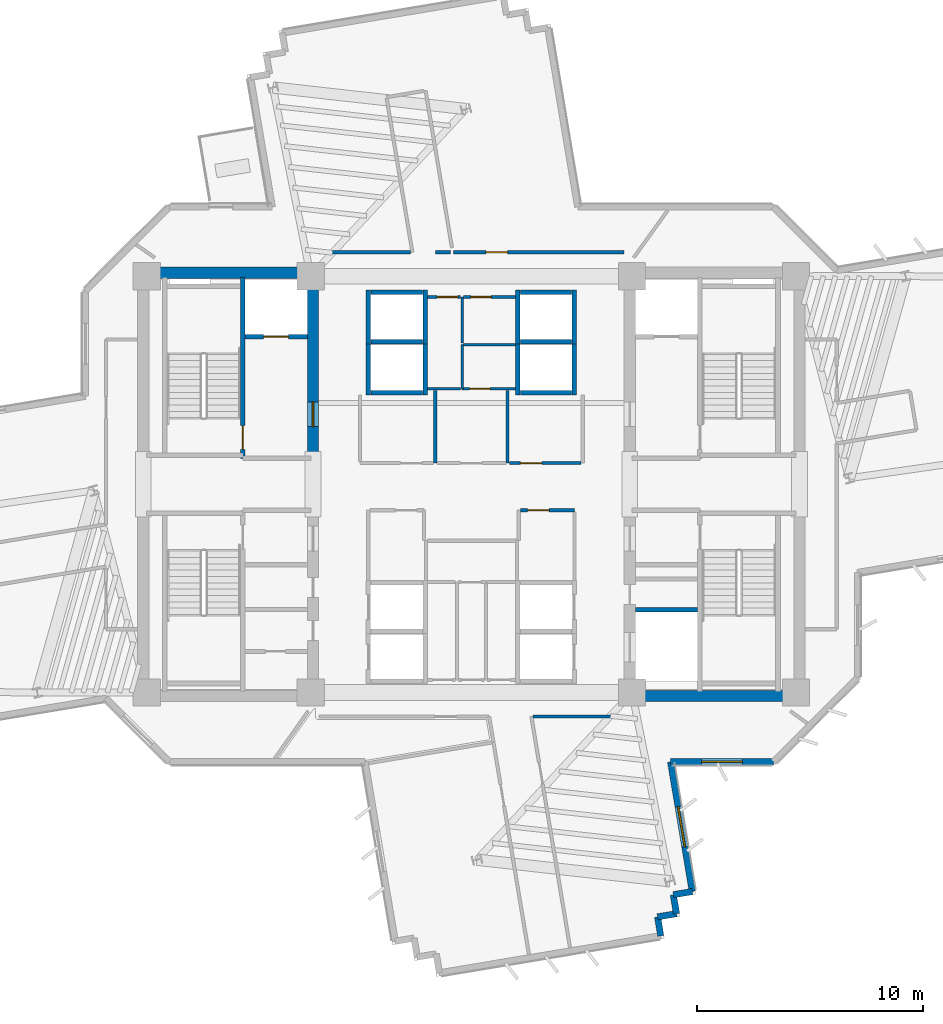
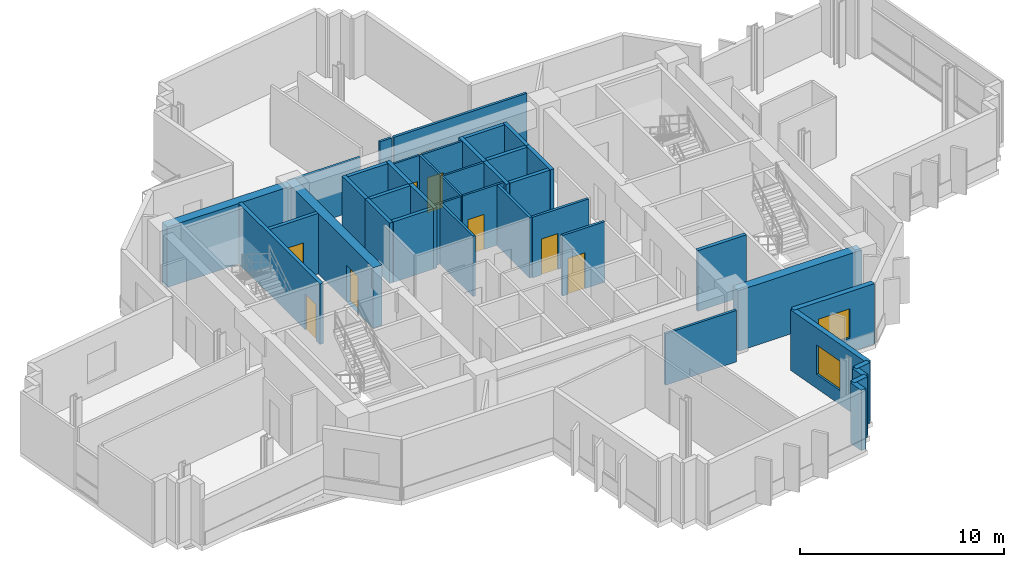
# One storey, part 9 of 15: 41 walls, 9 doors, 2 windows, 11 openings.
"""IFC4 building model written with IfcOpenShell, lengths in metres."""

from ifc_helpers import new_model, si_unit, direction, frame, frame_2d, origin, place, context, subcontext, project, spatial, rectangle, extrude, source, transform, mapped, material, layer, layer_set, type_object, element, fill, save


model = new_model("IFC4")

# Units and contexts
model_context = context("Model", 3, precision=1e-05, world=origin(), true_north=direction((0.0, 1.0)))
body_context = subcontext(model_context, "Body", "Model", "MODEL_VIEW")
ifc_project = project(units=[si_unit("LENGTHUNIT", "METRE"), si_unit("AREAUNIT", "SQUARE_METRE"), si_unit("VOLUMEUNIT", "CUBIC_METRE"), si_unit("PLANEANGLEUNIT", "RADIAN"), si_unit("MASSUNIT", "GRAM", prefix="KILO")], contexts=[model_context])

# Site, building, storey
site_placement = place(None, origin())
site = spatial("IfcSite", under=ifc_project, at=site_placement, CompositionType="ELEMENT")
building_placement = place(site_placement, origin())
building = spatial("IfcBuilding", under=site, at=building_placement, Name="Zahravan Cultural Tower", CompositionType="ELEMENT")
storey_placement = place(building_placement, frame((0.0, 0.0, 139.5)))
storey = spatial("IfcBuildingStorey", under=building, at=storey_placement, Name="L31", CompositionType="ELEMENT", Elevation=139.5)

# Wall, opening, door
ifc_material_1 = material(Name="Concrete C60/75", Category="concrete")
ifc_layer_1 = layer(ifc_material_1, 0.5)
ifc_layer_set_1 = layer_set([ifc_layer_1], Name="Concrete C60/75")
wall_type_1 = type_object("IfcWallType", Name="CW-SHEAR-500-C60", PredefinedType="SHEAR", material=ifc_layer_set_1)
wall_1_placement = place(storey_placement, frame((29.0, 28.050048828125, 0.0), z_axis=(0.0, 0.0, 1.0), x_axis=(0.0, 1.0, 0.0)))
wall_1 = element("IfcWall", 1, at=wall_1_placement, inside=storey, type_object=wall_type_1, Name="L31 Core Shear Wall CW-W-EN-L31", PredefinedType="SHEAR", context=body_context, shape_type="SweptSolid", body=[
    extrude(rectangle(XDim=8.550048828125, YDim=0.5, at=frame_2d((4.27490234375, 0.0))), origin(), (0.0, 0.0, 1.0), 3.6201171875),
])
opening_1_placement = place(wall_1_placement, frame((1.5, 0.0, 0.0)))
opening_1 = element("IfcOpeningElement", 2, at=opening_1_placement, cuts=wall_1, Name="Opening D-L31-05", PredefinedType="OPENING", context=body_context, shape_type="SweptSolid", body=[
    extrude(rectangle(XDim=1.10009765625, YDim=2.199951171875, at=frame_2d((0.550048828125, 1.10009765625))), frame((0.0, 0.260009765625, 0.0), z_axis=(0.0, -1.0, 0.0), x_axis=(1.0, 0.0, 0.0)), (0.0, 0.0, 1.0), 0.52001953125),
])
ifc_material_2 = material(Name="Steel ASTM A572 Grade 50", Category="steel")
door_type_1 = type_object("IfcDoorType", Name="DR-LOBBY-1100", OperationType="NOTDEFINED", PredefinedType="DOOR", material=ifc_material_2)
shared_shape_1 = source(origin(), body_context, "Body", "SweptSolid", [
    extrude(rectangle(XDim=1.10009765625, YDim=2.199951171875, at=frame_2d((0.550048828125, 1.10009765625))), frame((0.0, 0.02490234375, 0.0), z_axis=(0.0, -1.0, 0.0), x_axis=(1.0, 0.0, 0.0)), (0.0, 0.0, 1.0), 0.050048828125),
])
door_1_placement = place(opening_1_placement, origin())
door_1 = element("IfcDoor", 3, at=door_1_placement, inside=storey, type_object=door_type_1, Name="L31 Door D-L31-05", OperationType="SINGLE_SWING_LEFT", OverallHeight=2.199951171875, OverallWidth=1.10009765625, PredefinedType="DOOR", context=body_context, shape_type="MappedRepresentation", body=[
    mapped(shared_shape_1, transform((0.0, 0.0, 0.0), x_axis=(1.0, 0.0, 0.0), y_axis=(0.0, 1.0, 0.0), z_axis=(0.0, 0.0, 1.0), scale=1.0)),
])
fill(opening_1, door_1)

# Wall, opening, window
ifc_material_3 = material(Name="Precast concrete C40/50", Category="concrete")
ifc_layer_2 = layer(ifc_material_3, 0.280029296875)
ifc_layer_set_2 = layer_set([ifc_layer_2], Name="Precast concrete C40/50")
wall_type_2 = type_object("IfcWallType", Name="EW-TC-280", PredefinedType="SOLIDWALL", material=ifc_layer_set_2)
wall_2_placement = place(storey_placement, frame((49.342041015625, 14.739990234375, 0.0), z_axis=(0.0, 0.0, 1.0), x_axis=(-1.0, 0.0, 0.0)))
wall_2 = element("IfcWall", 4, at=wall_2_placement, inside=storey, type_object=wall_type_2, Name="L31 Exterior Masonry Frame Wall 13", PredefinedType="SOLIDWALL", context=body_context, shape_type="SweptSolid", body=[
    extrude(rectangle(XDim=4.537841796875, YDim=0.280029296875, at=frame_2d((2.26904296875, 0.0))), origin(), (0.0, 0.0, 1.0), 3.6201171875),
])
opening_2_placement = place(wall_2_placement, frame((1.368896484375, 0.0, 0.85009765625)))
opening_2 = element("IfcOpeningElement", 5, at=opening_2_placement, cuts=wall_2, Name="Opening WN-02", PredefinedType="OPENING", context=body_context, shape_type="SweptSolid", body=[
    extrude(rectangle(XDim=1.800048828125, YDim=1.75, at=frame_2d((0.89990234375, 0.875))), frame((0.0, 0.14990234375, 0.0), z_axis=(0.0, -1.0, 0.0), x_axis=(1.0, 0.0, 0.0)), (0.0, 0.0, 1.0), 0.300048828125),
])
ifc_material_4 = material(Name="Low-E solar-control double glazing", Category="glass")
window_type = type_object("IfcWindowType", Name="WN-REC-1800X1750", PartitioningType="DOUBLE_PANEL_VERTICAL", PredefinedType="WINDOW", material=ifc_material_4)
shared_shape_2 = source(origin(), body_context, "Body", "SweptSolid", [
    extrude(rectangle(XDim=1.800048828125, YDim=1.75, at=frame_2d((0.89990234375, 0.875))), frame((0.0, 0.030029296875, 0.0), z_axis=(0.0, -1.0, 0.0), x_axis=(1.0, 0.0, 0.0)), (0.0, 0.0, 1.0), 0.06005859375),
])
window_1_placement = place(opening_2_placement, origin())
window_1 = element("IfcWindow", 6, at=window_1_placement, inside=storey, type_object=window_type, Name="L31 Recessed Solar Window 03", OverallHeight=1.75, OverallWidth=1.800048828125, PartitioningType="DOUBLE_PANEL_VERTICAL", PredefinedType="WINDOW", context=body_context, shape_type="MappedRepresentation", body=[
    mapped(shared_shape_2, transform((0.0, 0.0, 0.0), x_axis=(1.0, 0.0, 0.0), y_axis=(0.0, 1.0, 0.0), z_axis=(0.0, 0.0, 1.0), scale=1.0)),
])
fill(opening_2, window_1)

wall_3_placement = place(storey_placement, frame((44.80419921875, 14.739990234375, 0.0), z_axis=(0.0, 0.0, 1.0), x_axis=(0.165045758581, -0.986285910664, 0.0)))
wall_3 = element("IfcWall", 7, at=wall_3_placement, inside=storey, type_object=wall_type_2, Name="L31 Exterior Masonry Frame Wall 14", PredefinedType="SOLIDWALL", context=body_context, shape_type="SweptSolid", body=[
    extrude(rectangle(XDim=5.81494140625, YDim=0.280029296875, at=frame_2d((2.907470703125, 0.0))), origin(), (0.0, 0.0, 1.0), 3.6201171875),
])
opening_3_placement = place(wall_3_placement, frame((2.007080078125, 0.0, 0.85009765625)))
opening_3 = element("IfcOpeningElement", 8, at=opening_3_placement, cuts=wall_3, Name="Opening WN-02", PredefinedType="OPENING", context=body_context, shape_type="SweptSolid", body=[
    extrude(rectangle(XDim=1.800048828125, YDim=1.75, at=frame_2d((0.89990234375, 0.875))), frame((0.0, 0.14990234375, 0.0), z_axis=(0.0, -1.0, 0.0), x_axis=(1.0, 0.0, 0.0)), (0.0, 0.0, 1.0), 0.300048828125),
])
window_2_placement = place(opening_3_placement, origin())
window_2 = element("IfcWindow", 9, at=window_2_placement, inside=storey, type_object=window_type, Name="L31 Recessed Solar Window 04", OverallHeight=1.75, OverallWidth=1.800048828125, PartitioningType="DOUBLE_PANEL_VERTICAL", PredefinedType="WINDOW", context=body_context, shape_type="MappedRepresentation", body=[
    mapped(shared_shape_2, transform((0.0, 0.0, 0.0), x_axis=(1.0, 0.0, 0.0), y_axis=(0.0, 1.0, 0.0), z_axis=(0.0, 0.0, 1.0), scale=1.0)),
])
fill(opening_3, window_2)

# Wall, opening, door
ifc_material_5 = material(Name="Gypsum plasterboard partition")
ifc_layer_3 = layer(ifc_material_5, 0.139892578125)
ifc_layer_set_3 = layer_set([ifc_layer_3], Name="Gypsum plasterboard partition")
wall_type_3 = type_object("IfcWallType", Name="W-PART-140", PredefinedType="PARTITIONING", material=ifc_layer_set_3)
wall_4_placement = place(storey_placement, frame((38.1650390625, 25.860107421875, 0.0), z_axis=(0.0, 0.0, 1.0), x_axis=(1.0, 0.0, 0.0)))
wall_4 = element("IfcWall", 10, at=wall_4_placement, inside=storey, type_object=wall_type_3, Name="L31 Interior Wall 079", PredefinedType="PARTITIONING", context=body_context, shape_type="SweptSolid", body=[
    extrude(rectangle(XDim=2.39501953125, YDim=0.139892578125, at=frame_2d((1.197509765625, 0.0))), origin(), (0.0, 0.0, 1.0), 3.6201171875),
])
opening_4_placement = place(wall_4_placement, frame((0.31787109375, 0.0, 0.0)))
opening_4 = element("IfcOpeningElement", 11, at=opening_4_placement, cuts=wall_4, Name="Opening D-L31-14", PredefinedType="OPENING", context=body_context, shape_type="SweptSolid", body=[
    extrude(rectangle(XDim=0.949951171875, YDim=2.14990234375, at=frame_2d((0.47509765625, 1.074951171875))), frame((0.0, 0.079833984375, 0.0), z_axis=(0.0, -1.0, 0.0), x_axis=(1.0, 0.0, 0.0)), (0.0, 0.0, 1.0), 0.159912109375),
])
ifc_material_6 = material(Name="Anodised bronze-aluminium mullion", Category="aluminium")
door_type_2 = type_object("IfcDoorType", Name="DR-ROOM-950", OperationType="NOTDEFINED", PredefinedType="DOOR", material=ifc_material_6)
shared_shape_3 = source(origin(), body_context, "Body", "SweptSolid", [
    extrude(rectangle(XDim=0.949951171875, YDim=2.14990234375, at=frame_2d((0.47509765625, 1.074951171875))), frame((0.0, 0.02490234375, 0.0), z_axis=(0.0, -1.0, 0.0), x_axis=(1.0, 0.0, 0.0)), (0.0, 0.0, 1.0), 0.050048828125),
])
door_2_placement = place(opening_4_placement, origin())
door_2 = element("IfcDoor", 12, at=door_2_placement, inside=storey, type_object=door_type_2, Name="L31 Door D-L31-14", OperationType="SINGLE_SWING_RIGHT", OverallHeight=2.14990234375, OverallWidth=0.949951171875, PredefinedType="DOOR", context=body_context, shape_type="MappedRepresentation", body=[
    mapped(shared_shape_3, transform((0.0, 0.0, 0.0), x_axis=(1.0, 0.0, 0.0), y_axis=(0.0, 1.0, 0.0), z_axis=(0.0, 0.0, 1.0), scale=1.0)),
])
fill(opening_4, door_2)

wall_5_placement = place(storey_placement, frame((40.844970703125, 27.93994140625, 0.0), z_axis=(0.0, 0.0, 1.0), x_axis=(-1.0, 0.0, 0.0)))
wall_5 = element("IfcWall", 13, at=wall_5_placement, inside=storey, type_object=wall_type_3, Name="L31 Interior Wall 087", PredefinedType="PARTITIONING", context=body_context, shape_type="SweptSolid", body=[
    extrude(rectangle(XDim=3.169921875, YDim=0.139892578125, at=frame_2d((1.5849609375, 0.0))), origin(), (0.0, 0.0, 1.0), 3.6201171875),
])
opening_5_placement = place(wall_5_placement, frame((1.731689453125, 0.0, 0.0)))
opening_5 = element("IfcOpeningElement", 14, at=opening_5_placement, cuts=wall_5, Name="Opening D-L31-19", PredefinedType="OPENING", context=body_context, shape_type="SweptSolid", body=[
    extrude(rectangle(XDim=0.949951171875, YDim=2.14990234375, at=frame_2d((0.47509765625, 1.074951171875))), frame((0.0, 0.079833984375, 0.0), z_axis=(0.0, -1.0, 0.0), x_axis=(1.0, 0.0, 0.0)), (0.0, 0.0, 1.0), 0.159912109375),
])
door_3_placement = place(opening_5_placement, origin())
door_3 = element("IfcDoor", 15, at=door_3_placement, inside=storey, type_object=door_type_2, Name="L31 Door D-L31-19", OperationType="SINGLE_SWING_LEFT", OverallHeight=2.14990234375, OverallWidth=0.949951171875, PredefinedType="DOOR", context=body_context, shape_type="MappedRepresentation", body=[
    mapped(shared_shape_3, transform((0.0, 0.0, 0.0), x_axis=(1.0, 0.0, 0.0), y_axis=(0.0, 1.0, 0.0), z_axis=(0.0, 0.0, 1.0), scale=1.0)),
])
fill(opening_5, door_3)

wall_6_placement = place(storey_placement, frame((42.742431640625, 37.259765625, 0.0), z_axis=(0.0, 0.0, 1.0), x_axis=(-0.999999999476, 3.2371888e-05, 0.0)))
wall_6 = element("IfcWall", 16, at=wall_6_placement, inside=storey, type_object=wall_type_3, Name="L31 Interior Wall 105", PredefinedType="PARTITIONING", context=body_context, shape_type="SweptSolid", body=[
    extrude(rectangle(XDim=7.541748046875, YDim=0.139892578125, at=frame_2d((3.77099609375, 0.0))), origin(), (0.0, 0.0, 1.0), 3.6201171875),
])
opening_6_placement = place(wall_6_placement, frame((5.1416015625, 0.0, 0.0)))
opening_6 = element("IfcOpeningElement", 17, at=opening_6_placement, cuts=wall_6, Name="Opening D-L31-24", PredefinedType="OPENING", context=body_context, shape_type="SweptSolid", body=[
    extrude(rectangle(XDim=0.949951171875, YDim=2.14990234375, at=frame_2d((0.47509765625, 1.074951171875))), frame((0.0, 0.079833984375, 0.0), z_axis=(0.0, -1.0, 0.0), x_axis=(1.0, 0.0, 0.0)), (0.0, 0.0, 1.0), 0.159912109375),
])
door_4_placement = place(opening_6_placement, origin())
door_4 = element("IfcDoor", 18, at=door_4_placement, inside=storey, type_object=door_type_2, Name="L31 Door D-L31-24", OperationType="SINGLE_SWING_RIGHT", OverallHeight=2.14990234375, OverallWidth=0.949951171875, PredefinedType="DOOR", context=body_context, shape_type="MappedRepresentation", body=[
    mapped(shared_shape_3, transform((0.0, 0.0, 0.0), x_axis=(1.0, 0.0, 0.0), y_axis=(0.0, 1.0, 0.0), z_axis=(0.0, 0.0, 1.0), scale=1.0)),
])
fill(opening_6, door_4)

ifc_material_7 = material(Name="Concrete C45/55", Category="concrete")
ifc_layer_4 = layer(ifc_material_7, 0.199951171875)
ifc_layer_set_4 = layer_set([ifc_layer_4], Name="Concrete C45/55")
wall_type_4 = type_object("IfcWallType", Name="W-SHAFT-200", PredefinedType="SOLIDWALL", material=ifc_layer_set_4)
wall_7_placement = place(storey_placement, frame((25.89990234375, 28.14990234375, 0.0), z_axis=(0.0, 0.0, 1.0), x_axis=(0.0, 1.0, 0.0)))
wall_7 = element("IfcWall", 19, at=wall_7_placement, inside=storey, type_object=wall_type_4, Name="L31 Interior Wall 006", PredefinedType="SOLIDWALL", context=body_context, shape_type="SweptSolid", body=[
    extrude(rectangle(XDim=8.0, YDim=0.199951171875, at=frame_2d((4.0, 0.0))), origin(), (0.0, 0.0, 1.0), 3.6201171875),
])
opening_7_placement = place(wall_7_placement, frame((0.39990234375, 0.0, 0.0)))
opening_7 = element("IfcOpeningElement", 20, at=opening_7_placement, cuts=wall_7, Name="Opening D-L31-01", PredefinedType="OPENING", context=body_context, shape_type="SweptSolid", body=[
    extrude(rectangle(XDim=1.050048828125, YDim=2.14990234375, at=frame_2d((0.52490234375, 1.074951171875))), frame((0.0, 0.10986328125, 0.0), z_axis=(0.0, -1.0, 0.0), x_axis=(1.0, 0.0, 0.0)), (0.0, 0.0, 1.0), 0.219970703125),
])
door_type_3 = type_object("IfcDoorType", Name="DR-STAIR-1050", OperationType="NOTDEFINED", PredefinedType="DOOR", material=ifc_material_2)
shared_shape_4 = source(origin(), body_context, "Body", "SweptSolid", [
    extrude(rectangle(XDim=1.050048828125, YDim=2.14990234375, at=frame_2d((0.52490234375, 1.074951171875))), frame((0.0, 0.02490234375, 0.0), z_axis=(0.0, -1.0, 0.0), x_axis=(1.0, 0.0, 0.0)), (0.0, 0.0, 1.0), 0.050048828125),
])
door_5_placement = place(opening_7_placement, origin())
door_5 = element("IfcDoor", 21, at=door_5_placement, inside=storey, type_object=door_type_3, Name="L31 Door D-L31-01", OperationType="SINGLE_SWING_LEFT", OverallHeight=2.14990234375, OverallWidth=1.050048828125, PredefinedType="DOOR", context=body_context, shape_type="MappedRepresentation", body=[
    mapped(shared_shape_4, transform((0.0, 0.0, 0.0), x_axis=(1.0, 0.0, 0.0), y_axis=(0.0, 1.0, 0.0), z_axis=(0.0, 0.0, 1.0), scale=1.0)),
])
fill(opening_7, door_5)

wall_8_placement = place(storey_placement, frame((26.0, 33.52001953125, 0.0), z_axis=(0.0, 0.0, 1.0), x_axis=(1.0, 0.0, 0.0)))
wall_8 = element("IfcWall", 22, at=wall_8_placement, inside=storey, type_object=wall_type_4, Name="L31 Interior Wall 021", PredefinedType="SOLIDWALL", context=body_context, shape_type="SweptSolid", body=[
    extrude(rectangle(XDim=2.75, YDim=0.199951171875, at=frame_2d((1.375, 0.0))), origin(), (0.0, 0.0, 1.0), 3.6201171875),
])
opening_8_placement = place(wall_8_placement, frame((0.820068359375, 0.0, 0.0)))
opening_8 = element("IfcOpeningElement", 23, at=opening_8_placement, cuts=wall_8, Name="Opening LD-L31-01", PredefinedType="OPENING", context=body_context, shape_type="SweptSolid", body=[
    extrude(rectangle(XDim=1.10009765625, YDim=2.14990234375, at=frame_2d((0.550048828125, 1.074951171875))), frame((0.0, 0.10986328125, 0.0), z_axis=(0.0, -1.0, 0.0), x_axis=(1.0, 0.0, 0.0)), (0.0, 0.0, 1.0), 0.219970703125),
])
door_type_4 = type_object("IfcDoorType", Name="DR-LIFT-1100", OperationType="DOUBLE_DOOR_SLIDING", PredefinedType="DOOR", material=ifc_material_2)
shared_shape_5 = source(origin(), body_context, "Body", "SweptSolid", [
    extrude(rectangle(XDim=1.10009765625, YDim=2.14990234375, at=frame_2d((0.550048828125, 1.074951171875))), frame((0.0, 0.02490234375, 0.0), z_axis=(0.0, -1.0, 0.0), x_axis=(1.0, 0.0, 0.0)), (0.0, 0.0, 1.0), 0.050048828125),
])
door_6_placement = place(opening_8_placement, origin())
door_6 = element("IfcDoor", 24, at=door_6_placement, inside=storey, type_object=door_type_4, Name="L31 Door LD-L31-01", OperationType="DOUBLE_DOOR_SLIDING", OverallHeight=2.14990234375, OverallWidth=1.10009765625, PredefinedType="DOOR", context=body_context, shape_type="MappedRepresentation", body=[
    mapped(shared_shape_5, transform((0.0, 0.0, 0.0), x_axis=(1.0, 0.0, 0.0), y_axis=(0.0, 1.0, 0.0), z_axis=(0.0, 0.0, 1.0), scale=1.0)),
])
fill(opening_8, door_6)

ifc_layer_5 = layer(ifc_material_5, 0.114990234375)
ifc_layer_set_5 = layer_set([ifc_layer_5], Name="Gypsum plasterboard partition")
wall_type_5 = type_object("IfcWallType", Name="W-WC-115", PredefinedType="PARTITIONING", material=ifc_layer_set_5)
wall_9_placement = place(storey_placement, frame((37.945068359375, 31.219970703125, 0.0), z_axis=(0.0, 0.0, 1.0), x_axis=(-1.0, 0.0, 0.0)))
wall_9 = element("IfcWall", 25, at=wall_9_placement, inside=storey, type_object=wall_type_5, Name="L31 Interior Wall 057", PredefinedType="PARTITIONING", context=body_context, shape_type="SweptSolid", body=[
    extrude(rectangle(XDim=2.35498046875, YDim=0.114990234375, at=frame_2d((1.177490234375, 0.0))), origin(), (0.0, 0.0, 1.0), 3.6201171875),
])
opening_9_placement = place(wall_9_placement, frame((1.120849609375, 0.0, 0.0)))
opening_9 = element("IfcOpeningElement", 26, at=opening_9_placement, cuts=wall_9, Name="Opening D-L31-31", PredefinedType="OPENING", context=body_context, shape_type="SweptSolid", body=[
    extrude(rectangle(XDim=0.89990234375, YDim=2.10009765625, at=frame_2d((0.449951171875, 1.050048828125))), frame((0.0, 0.0673828125, 0.0), z_axis=(0.0, -1.0, 0.0), x_axis=(1.0, 0.0, 0.0)), (0.0, 0.0, 1.0), 0.135009765625),
])
door_type_5 = type_object("IfcDoorType", Name="DR-WC-900", OperationType="NOTDEFINED", PredefinedType="DOOR", material=ifc_material_6)
shared_shape_6 = source(origin(), body_context, "Body", "SweptSolid", [
    extrude(rectangle(XDim=0.89990234375, YDim=2.10009765625, at=frame_2d((0.449951171875, 1.050048828125))), frame((0.0, 0.02490234375, 0.0), z_axis=(0.0, -1.0, 0.0), x_axis=(1.0, 0.0, 0.0)), (0.0, 0.0, 1.0), 0.050048828125),
])
door_7_placement = place(opening_9_placement, origin())
door_7 = element("IfcDoor", 27, at=door_7_placement, inside=storey, type_object=door_type_5, Name="L31 Door D-L31-31", OperationType="SINGLE_SWING_LEFT", OverallHeight=2.10009765625, OverallWidth=0.89990234375, PredefinedType="DOOR", context=body_context, shape_type="MappedRepresentation", body=[
    mapped(shared_shape_6, transform((0.0, 0.0, 0.0), x_axis=(1.0, 0.0, 0.0), y_axis=(0.0, 1.0, 0.0), z_axis=(0.0, 0.0, 1.0), scale=1.0)),
])
fill(opening_9, door_7)

wall_10_placement = place(storey_placement, frame((35.652587890625, 35.280029296875, 0.0), z_axis=(0.0, 0.0, 1.0), x_axis=(1.0, 0.0, 0.0)))
wall_10 = element("IfcWall", 28, at=wall_10_placement, inside=storey, type_object=wall_type_5, Name="L31 Interior Wall 061", PredefinedType="PARTITIONING", context=body_context, shape_type="SweptSolid", body=[
    extrude(rectangle(XDim=2.29248046875, YDim=0.114990234375, at=frame_2d((1.146240234375, 0.0))), origin(), (0.0, 0.0, 1.0), 3.6201171875),
])
opening_10_placement = place(wall_10_placement, frame((0.3203125, 0.0, 0.0)))
opening_10 = element("IfcOpeningElement", 29, at=opening_10_placement, cuts=wall_10, Name="Opening D-L31-16", PredefinedType="OPENING", context=body_context, shape_type="SweptSolid", body=[
    extrude(rectangle(XDim=0.89990234375, YDim=2.10009765625, at=frame_2d((0.449951171875, 1.050048828125))), frame((0.0, 0.0673828125, 0.0), z_axis=(0.0, -1.0, 0.0), x_axis=(1.0, 0.0, 0.0)), (0.0, 0.0, 1.0), 0.135009765625),
])
door_8_placement = place(opening_10_placement, origin())
door_8 = element("IfcDoor", 30, at=door_8_placement, inside=storey, type_object=door_type_5, Name="L31 Door D-L31-16", OperationType="SINGLE_SWING_RIGHT", OverallHeight=2.10009765625, OverallWidth=0.89990234375, PredefinedType="DOOR", context=body_context, shape_type="MappedRepresentation", body=[
    mapped(shared_shape_6, transform((0.0, 0.0, 0.0), x_axis=(1.0, 0.0, 0.0), y_axis=(0.0, 1.0, 0.0), z_axis=(0.0, 0.0, 1.0), scale=1.0)),
])
fill(opening_10, door_8)

wall_11_placement = place(storey_placement, frame((34.054931640625, 35.280029296875, 0.0), z_axis=(0.0, 0.0, 1.0), x_axis=(1.0, 0.0, 0.0)))
wall_11 = element("IfcWall", 31, at=wall_11_placement, inside=storey, type_object=wall_type_5, Name="L31 Interior Wall 071", PredefinedType="PARTITIONING", context=body_context, shape_type="SweptSolid", body=[
    extrude(rectangle(XDim=1.47265625, YDim=0.114990234375, at=frame_2d((0.736328125, 0.0))), origin(), (0.0, 0.0, 1.0), 3.6201171875),
])
opening_11_placement = place(wall_11_placement, frame((0.4326171875, 0.0, 0.0)))
opening_11 = element("IfcOpeningElement", 32, at=opening_11_placement, cuts=wall_11, Name="Opening D-L31-15", PredefinedType="OPENING", context=body_context, shape_type="SweptSolid", body=[
    extrude(rectangle(XDim=0.89990234375, YDim=2.10009765625, at=frame_2d((0.449951171875, 1.050048828125))), frame((0.0, 0.0673828125, 0.0), z_axis=(0.0, -1.0, 0.0), x_axis=(1.0, 0.0, 0.0)), (0.0, 0.0, 1.0), 0.135009765625),
])
door_9_placement = place(opening_11_placement, origin())
door_9 = element("IfcDoor", 33, at=door_9_placement, inside=storey, type_object=door_type_5, Name="L31 Door D-L31-15", OperationType="SINGLE_SWING_LEFT", OverallHeight=2.10009765625, OverallWidth=0.89990234375, PredefinedType="DOOR", context=body_context, shape_type="MappedRepresentation", body=[
    mapped(shared_shape_6, transform((0.0, 0.0, 0.0), x_axis=(1.0, 0.0, 0.0), y_axis=(0.0, 1.0, 0.0), z_axis=(0.0, 0.0, 1.0), scale=1.0)),
])
fill(opening_11, door_9)

# Walls
shared_shape_7 = source(origin(), body_context, "Body", "SweptSolid", [
    extrude(rectangle(XDim=7.0, YDim=0.5, at=frame_2d((3.5, 0.0))), origin(), (0.0, 0.0, 1.0), 3.6201171875),
])
for number, where, z_axis, x_axis, name in (
    (34, (21.75, 36.35009765625, 0.0), (0.0, 0.0, 1.0), (1.0, 0.0, 0.0), "L31 Core Shear Wall CW-W-N-L31"),
    (35, (43.25, 17.64990234375, 0.0), (0.0, 0.0, 1.0), (1.0, 0.0, 0.0), "L31 Core Shear Wall CW-E-S-L31"),
):
    element("IfcWall", number, at=place(storey_placement, frame(where, z_axis=z_axis, x_axis=x_axis)), inside=storey, type_object=wall_type_1, Name=name, PredefinedType="SHEAR", context=body_context, shape_type="MappedRepresentation", body=[
        mapped(shared_shape_7, transform((0.0, 0.0, 0.0), x_axis=(1.0, 0.0, 0.0), y_axis=(0.0, 1.0, 0.0), z_axis=(0.0, 0.0, 1.0), scale=1.0)),
    ])
shared_shape_8 = source(origin(), body_context, "Body", "SweptSolid", [
    extrude(rectangle(XDim=0.85009765625, YDim=0.280029296875, at=frame_2d((0.425048828125, 0.0))), origin(), (0.0, 0.0, 1.0), 3.6201171875),
])
for number, where, z_axis, x_axis, name in (
    (36, (45.763916015625, 9.0048828125, 0.0), (0.0, 0.0, 1.0), (-0.986269444653, -0.16514412658, 0.0), "L31 Exterior Masonry Frame Wall 15"),
    (37, (44.925537109375, 8.864501953125, 0.0), (0.0, 0.0, 1.0), (0.16514412658, -0.986269444653, 0.0), "L31 Exterior Masonry Frame Wall 16"),
    (38, (45.06591796875, 8.026123046875, 0.0), (0.0, 0.0, 1.0), (-0.986269444653, -0.16514412658, 0.0), "L31 Exterior Masonry Frame Wall 17"),
):
    element("IfcWall", number, at=place(storey_placement, frame(where, z_axis=z_axis, x_axis=x_axis)), inside=storey, type_object=wall_type_2, Name=name, PredefinedType="SOLIDWALL", context=body_context, shape_type="MappedRepresentation", body=[
        mapped(shared_shape_8, transform((0.0, 0.0, 0.0), x_axis=(1.0, 0.0, 0.0), y_axis=(0.0, 1.0, 0.0), z_axis=(0.0, 0.0, 1.0), scale=1.0)),
    ])
shared_shape_9 = source(origin(), body_context, "Body", "SweptSolid", [
    extrude(rectangle(XDim=0.849853515625, YDim=0.280029296875, at=frame_2d((0.4248046875, 0.0))), origin(), (0.0, 0.0, 1.0), 3.6201171875),
])
wall_12_placement = place(storey_placement, frame((44.2275390625, 7.8857421875, 0.0), z_axis=(0.0, 0.0, 1.0), x_axis=(0.165190918979, -0.986261608442, 0.0)))
element("IfcWall", 39, at=wall_12_placement, inside=storey, type_object=wall_type_2, Name="L31 Exterior Masonry Frame Wall 18", PredefinedType="SOLIDWALL", context=body_context, shape_type="MappedRepresentation", body=[
    mapped(shared_shape_9, transform((0.0, 0.0, 0.0), x_axis=(1.0, 0.0, 0.0), y_axis=(0.0, 1.0, 0.0), z_axis=(0.0, 0.0, 1.0), scale=1.0)),
])
shared_shape_10 = source(origin(), body_context, "Body", "SweptSolid", [
    extrude(rectangle(XDim=2.75, YDim=0.199951171875, at=frame_2d((1.375, 0.0))), origin(), (0.0, 0.0, 1.0), 3.6201171875),
])
wall_13_placement = place(storey_placement, frame((43.25, 21.449951171875, 0.0), z_axis=(0.0, 0.0, 1.0), x_axis=(1.0, 0.0, 0.0)))
element("IfcWall", 40, at=wall_13_placement, inside=storey, type_object=wall_type_4, Name="L31 Interior Wall 025", PredefinedType="SOLIDWALL", context=body_context, shape_type="MappedRepresentation", body=[
    mapped(shared_shape_10, transform((0.0, 0.0, 0.0), x_axis=(1.0, 0.0, 0.0), y_axis=(0.0, 1.0, 0.0), z_axis=(0.0, 0.0, 1.0), scale=1.0)),
])
shared_shape_11 = source(origin(), body_context, "Body", "SweptSolid", [
    extrude(rectangle(XDim=2.400146484375, YDim=0.199951171875, at=frame_2d((1.2001953125, 0.0))), origin(), (0.0, 0.0, 1.0), 3.6201171875),
])
for number, where, z_axis, x_axis, name in (
    (41, (31.449951171875, 33.199951171875, 0.0), (0.0, 0.0, 1.0), (0.0, 1.0, 0.0), "L31 Interior Wall 029"),
    (42, (33.949951171875, 33.199951171875, 0.0), (0.0, 0.0, 1.0), (0.0, 1.0, 0.0), "L31 Interior Wall 030"),
    (43, (31.449951171875, 30.949951171875, 0.0), (0.0, 0.0, 1.0), (0.0, 1.0, 0.0), "L31 Interior Wall 033"),
    (44, (33.949951171875, 30.949951171875, 0.0), (0.0, 0.0, 1.0), (0.0, 1.0, 0.0), "L31 Interior Wall 034"),
    (45, (38.050048828125, 33.199951171875, 0.0), (0.0, 0.0, 1.0), (0.0, 1.0, 0.0), "L31 Interior Wall 036"),
    (46, (40.550048828125, 33.199951171875, 0.0), (0.0, 0.0, 1.0), (0.0, 1.0, 0.0), "L31 Interior Wall 037"),
    (47, (38.050048828125, 30.949951171875, 0.0), (0.0, 0.0, 1.0), (0.0, 1.0, 0.0), "L31 Interior Wall 040"),
    (48, (40.550048828125, 30.949951171875, 0.0), (0.0, 0.0, 1.0), (0.0, 1.0, 0.0), "L31 Interior Wall 041"),
):
    element("IfcWall", number, at=place(storey_placement, frame(where, z_axis=z_axis, x_axis=x_axis)), inside=storey, type_object=wall_type_4, Name=name, PredefinedType="SOLIDWALL", context=body_context, shape_type="MappedRepresentation", body=[
        mapped(shared_shape_11, transform((0.0, 0.0, 0.0), x_axis=(1.0, 0.0, 0.0), y_axis=(0.0, 1.0, 0.0), z_axis=(0.0, 0.0, 1.0), scale=1.0)),
    ])
shared_shape_12 = source(origin(), body_context, "Body", "SweptSolid", [
    extrude(rectangle(XDim=2.260009765625, YDim=0.199951171875, at=frame_2d((1.1298828125, 0.0))), origin(), (0.0, 0.0, 1.0), 3.6201171875),
])
for number, where, z_axis, x_axis, name in (
    (49, (31.570068359375, 33.300048828125, 0.0), (0.0, 0.0, 1.0), (1.0, 0.0, 0.0), "L31 Interior Wall 031"),
    (50, (31.570068359375, 35.5, 0.0), (0.0, 0.0, 1.0), (1.0, 0.0, 0.0), "L31 Interior Wall 032"),
    (51, (31.570068359375, 31.050048828125, 0.0), (0.0, 0.0, 1.0), (1.0, 0.0, 0.0), "L31 Interior Wall 035"),
    (52, (38.169921875, 33.300048828125, 0.0), (0.0, 0.0, 1.0), (1.0, 0.0, 0.0), "L31 Interior Wall 038"),
    (53, (38.169921875, 35.5, 0.0), (0.0, 0.0, 1.0), (1.0, 0.0, 0.0), "L31 Interior Wall 039"),
    (54, (38.169921875, 31.050048828125, 0.0), (0.0, 0.0, 1.0), (1.0, 0.0, 0.0), "L31 Interior Wall 042"),
):
    element("IfcWall", number, at=place(storey_placement, frame(where, z_axis=z_axis, x_axis=x_axis)), inside=storey, type_object=wall_type_4, Name=name, PredefinedType="SOLIDWALL", context=body_context, shape_type="MappedRepresentation", body=[
        mapped(shared_shape_12, transform((0.0, 0.0, 0.0), x_axis=(1.0, 0.0, 0.0), y_axis=(0.0, 1.0, 0.0), z_axis=(0.0, 0.0, 1.0), scale=1.0)),
    ])
shared_shape_13 = source(origin(), body_context, "Body", "SweptSolid", [
    extrude(rectangle(XDim=1.9599609375, YDim=0.114990234375, at=frame_2d((0.97998046875, 0.0))), origin(), (0.0, 0.0, 1.0), 3.6201171875),
])
wall_14_placement = place(storey_placement, frame((35.590087890625, 31.219970703125, 0.0), z_axis=(0.0, 0.0, 1.0), x_axis=(0.0, 1.0, 0.0)))
element("IfcWall", 55, at=wall_14_placement, inside=storey, type_object=wall_type_5, Name="L31 Interior Wall 058", PredefinedType="PARTITIONING", context=body_context, shape_type="MappedRepresentation", body=[
    mapped(shared_shape_13, transform((0.0, 0.0, 0.0), x_axis=(1.0, 0.0, 0.0), y_axis=(0.0, 1.0, 0.0), z_axis=(0.0, 0.0, 1.0), scale=1.0)),
])
shared_shape_14 = source(origin(), body_context, "Body", "SweptSolid", [
    extrude(rectangle(XDim=2.29248046875, YDim=0.114990234375, at=frame_2d((1.146240234375, 0.0))), origin(), (0.0, 0.0, 1.0), 3.6201171875),
])
wall_15_placement = place(storey_placement, frame((35.652587890625, 33.179931640625, 0.0), z_axis=(0.0, 0.0, 1.0), x_axis=(1.0, 0.0, 0.0)))
element("IfcWall", 56, at=wall_15_placement, inside=storey, type_object=wall_type_5, Name="L31 Interior Wall 059", PredefinedType="PARTITIONING", context=body_context, shape_type="MappedRepresentation", body=[
    mapped(shared_shape_14, transform((0.0, 0.0, 0.0), x_axis=(1.0, 0.0, 0.0), y_axis=(0.0, 1.0, 0.0), z_axis=(0.0, 0.0, 1.0), scale=1.0)),
])
shared_shape_15 = source(origin(), body_context, "Body", "SweptSolid", [
    extrude(rectangle(XDim=2.0400390625, YDim=0.114990234375, at=frame_2d((1.02001953125, 0.0))), origin(), (0.0, 0.0, 1.0), 3.6201171875),
])
wall_16_placement = place(storey_placement, frame((35.590087890625, 33.239990234375, 0.0), z_axis=(0.0, 0.0, 1.0), x_axis=(0.0, 1.0, 0.0)))
element("IfcWall", 57, at=wall_16_placement, inside=storey, type_object=wall_type_5, Name="L31 Interior Wall 060", PredefinedType="PARTITIONING", context=body_context, shape_type="MappedRepresentation", body=[
    mapped(shared_shape_15, transform((0.0, 0.0, 0.0), x_axis=(1.0, 0.0, 0.0), y_axis=(0.0, 1.0, 0.0), z_axis=(0.0, 0.0, 1.0), scale=1.0)),
])
shared_shape_16 = source(origin(), body_context, "Body", "SweptSolid", [
    extrude(rectangle(XDim=1.47265625, YDim=0.114990234375, at=frame_2d((0.736328125, 0.0))), origin(), (0.0, 0.0, 1.0), 3.6201171875),
])
wall_17_placement = place(storey_placement, frame((35.527587890625, 31.219970703125, 0.0), z_axis=(0.0, 0.0, 1.0), x_axis=(-1.0, 0.0, 0.0)))
element("IfcWall", 58, at=wall_17_placement, inside=storey, type_object=wall_type_5, Name="L31 Interior Wall 070", PredefinedType="PARTITIONING", context=body_context, shape_type="MappedRepresentation", body=[
    mapped(shared_shape_16, transform((0.0, 0.0, 0.0), x_axis=(1.0, 0.0, 0.0), y_axis=(0.0, 1.0, 0.0), z_axis=(0.0, 0.0, 1.0), scale=1.0)),
])
shared_shape_17 = source(origin(), body_context, "Body", "SweptSolid", [
    extrude(rectangle(XDim=3.199951171875, YDim=0.139892578125, at=frame_2d((1.60009765625, 0.0))), origin(), (0.0, 0.0, 1.0), 3.6201171875),
])
for number, where, z_axis, x_axis, name in (
    (59, (34.39990234375, 27.93994140625, 0.0), (0.0, 0.0, 1.0), (0.0, 1.0, 0.0), "L31 Interior Wall 081"),
    (60, (37.60009765625, 31.139892578125, 0.0), (0.0, 0.0, 1.0), (0.0, -1.0, 0.0), "L31 Interior Wall 082"),
):
    element("IfcWall", number, at=place(storey_placement, frame(where, z_axis=z_axis, x_axis=x_axis)), inside=storey, type_object=wall_type_3, Name=name, PredefinedType="PARTITIONING", context=body_context, shape_type="MappedRepresentation", body=[
        mapped(shared_shape_17, transform((0.0, 0.0, 0.0), x_axis=(1.0, 0.0, 0.0), y_axis=(0.0, 1.0, 0.0), z_axis=(0.0, 0.0, 1.0), scale=1.0)),
    ])
shared_shape_18 = source(origin(), body_context, "Body", "SweptSolid", [
    extrude(rectangle(XDim=4.016845703125, YDim=0.139892578125, at=frame_2d((2.00830078125, 0.0))), origin(), (0.0, 0.0, 1.0), 3.0791015625),
])
wall_18_placement = place(storey_placement, frame((38.7255859375, 16.739990234375, 0.0), z_axis=(0.0, 0.0, 1.0), x_axis=(0.999999998153, 6.0779189e-05, 0.0)))
element("IfcWall", 61, at=wall_18_placement, inside=storey, type_object=wall_type_3, Name="L31 Interior Wall 099", PredefinedType="PARTITIONING", context=body_context, shape_type="MappedRepresentation", body=[
    mapped(shared_shape_18, transform((0.0, 0.0, 0.0), x_axis=(1.0, 0.0, 0.0), y_axis=(0.0, 1.0, 0.0), z_axis=(0.0, 0.0, 1.0), scale=1.0)),
])
shared_shape_19 = source(origin(), body_context, "Body", "SweptSolid", [
    extrude(rectangle(XDim=0.6640625, YDim=0.139892578125, at=frame_2d((0.33203125, 0.0))), origin(), (0.0, 0.0, 1.0), 3.6201171875),
])
wall_19_placement = place(storey_placement, frame((35.08642578125, 37.260009765625, 0.0), z_axis=(0.0, 0.0, 1.0), x_axis=(-1.0, 0.0, 0.0)))
element("IfcWall", 62, at=wall_19_placement, inside=storey, type_object=wall_type_3, Name="L31 Interior Wall 106", PredefinedType="PARTITIONING", context=body_context, shape_type="MappedRepresentation", body=[
    mapped(shared_shape_19, transform((0.0, 0.0, 0.0), x_axis=(1.0, 0.0, 0.0), y_axis=(0.0, 1.0, 0.0), z_axis=(0.0, 0.0, 1.0), scale=1.0)),
])
shared_shape_20 = source(origin(), body_context, "Body", "SweptSolid", [
    extrude(rectangle(XDim=4.05712890625, YDim=0.139892578125, at=frame_2d((2.028564453125, 0.0))), origin(), (0.0, 0.0, 1.0), 3.0791015625),
])
wall_20_placement = place(storey_placement, frame((33.314697265625, 37.260009765625, 0.0), z_axis=(0.0, 0.0, 1.0), x_axis=(-0.999999998189, -6.0175713e-05, 0.0)))
element("IfcWall", 63, at=wall_20_placement, inside=storey, type_object=wall_type_3, Name="L31 Interior Wall 110", PredefinedType="PARTITIONING", context=body_context, shape_type="MappedRepresentation", body=[
    mapped(shared_shape_20, transform((0.0, 0.0, 0.0), x_axis=(1.0, 0.0, 0.0), y_axis=(0.0, 1.0, 0.0), z_axis=(0.0, 0.0, 1.0), scale=1.0)),
])

save(model, "model.ifc")
